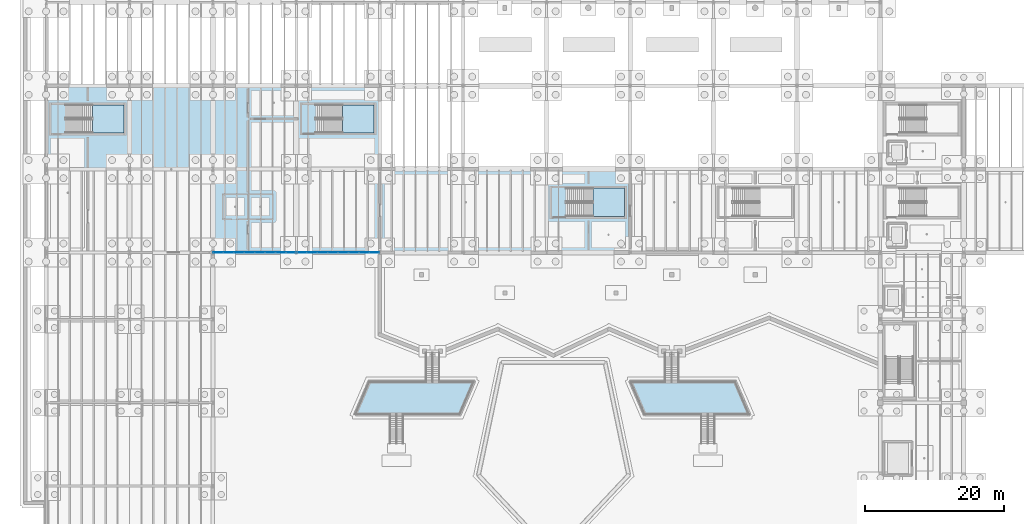
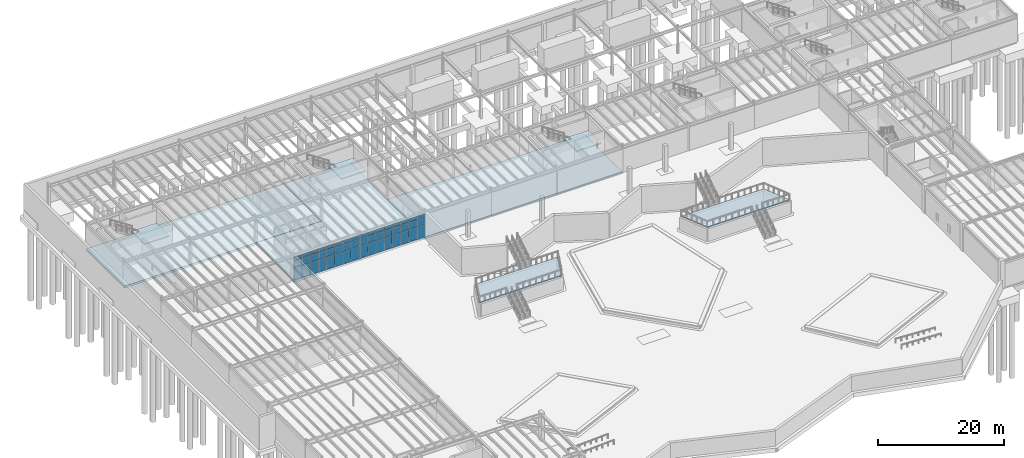
# One storey, part 29 of 67: 48 plates, 8 slabs, 7 elements without a shape of their own.
"""IFC4 building model written with IfcOpenShell, lengths in metres."""

import ifcopenshell
import ifcopenshell.guid

model = None  # the IFC model being written
_history = None  # IfcOwnerHistory: only IFC2X3 demands one
_inside = {}  # id of a spatial element -> (the spatial element, [elements in it])
_under = {}  # id of a project, library or spatial element -> (it, [spatial elements below it])
_declared = {}  # id of a project -> (the project, [libraries it declares])
_typed = {}  # id of a type object -> (the type object, [elements of that type])
_made_of = {}  # id of a material, layer set ... -> (it, [elements and type objects made of it])


def new_model(schema):
    """Start an empty IFC model of exactly this schema.

    Asked for "IFC4X3", IfcOpenShell would pick the latest addendum, in which some entities
    have other attributes; the version numbers below select the first issue.
    IFC2X3 requires an IfcOwnerHistory on every rooted entity: one is made here for all.
    """
    global model, _history
    if schema == "IFC4X3":
        model = ifcopenshell.file(schema_version=(4, 3, 0, 0))
    else:
        model = ifcopenshell.file(schema=schema)
    _inside.clear()
    _under.clear()
    _declared.clear()
    _typed.clear()
    _made_of.clear()
    _history = None
    if model.schema == "IFC2X3":
        org = make("IfcOrganization", Name="unknown")
        user = make(
            "IfcPersonAndOrganization",
            ThePerson=make("IfcPerson", FamilyName="unknown"),
            TheOrganization=org,
        )
        app = make(
            "IfcApplication",
            ApplicationDeveloper=org,
            Version="unknown",
            ApplicationFullName="unknown",
            ApplicationIdentifier="unknown",
        )
        _history = make(
            "IfcOwnerHistory",
            OwningUser=user,
            OwningApplication=app,
            ChangeAction="ADDED",
            CreationDate=0,
        )
    return model


def make(cls, **values):
    """One entity of the class cls with the attributes given. An attribute that is None is left unset."""
    return model.create_entity(
        cls, **{name: value for name, value in values.items() if value is not None}
    )


def rooted(cls, **values):
    """An entity with a GlobalId (a new one), such as an element, a storey or a relation."""
    return make(cls, GlobalId=ifcopenshell.guid.new(), OwnerHistory=_history, **values)


def si_unit(unit_type, name, prefix=None):
    """IfcSIUnit, for example si_unit("LENGTHUNIT", "METRE", prefix="MILLI")."""
    return make("IfcSIUnit", UnitType=unit_type, Prefix=prefix, Name=name)


def assignment(units):
    """IfcUnitAssignment: the units of a project."""
    return None if units is None else make("IfcUnitAssignment", Units=units)


def point(xyz):
    """IfcCartesianPoint."""
    return None if xyz is None else make("IfcCartesianPoint", Coordinates=xyz)


def direction(xyz):
    """IfcDirection."""
    return None if xyz is None else make("IfcDirection", DirectionRatios=xyz)


def frame(location, z_axis=None, x_axis=None):
    """IfcAxis2Placement3D, a coordinate frame: its origin and axes. An axis left out is left unset."""
    return make(
        "IfcAxis2Placement3D",
        Location=point(location),
        Axis=direction(z_axis),
        RefDirection=direction(x_axis),
    )


def frame_2d(location, x_axis=None):
    """IfcAxis2Placement2D, a coordinate frame in the plane: its origin and x axis."""
    return make(
        "IfcAxis2Placement2D", Location=point(location), RefDirection=direction(x_axis)
    )


def origin():
    """The frame at (0, 0, 0) with its axes left unset."""
    return frame((0.0, 0.0, 0.0))


def origin_2d():
    """The frame at (0, 0) in the plane with its x axis left unset."""
    return frame_2d((0.0, 0.0))


def place(relative_to, where):
    """IfcLocalPlacement: puts the frame where relative to a parent placement (None: the world)."""
    return make(
        "IfcLocalPlacement", PlacementRelTo=relative_to, RelativePlacement=where
    )


def context(
    kind, dimensions, precision=None, world=None, true_north=None, identifier=None
):
    """IfcGeometricRepresentationContext, for example the 3D "Model" context."""
    return make(
        "IfcGeometricRepresentationContext",
        ContextIdentifier=identifier,
        ContextType=kind,
        CoordinateSpaceDimension=dimensions,
        Precision=precision,
        WorldCoordinateSystem=world,
        TrueNorth=true_north,
    )


def subcontext(parent, identifier, kind, view, scale=None):
    """IfcGeometricRepresentationSubContext, for example "Body" below "Model"."""
    return make(
        "IfcGeometricRepresentationSubContext",
        ContextIdentifier=identifier,
        ContextType=kind,
        ParentContext=parent,
        TargetScale=scale,
        TargetView=view,
    )


def project(units=None, contexts=None):
    """IfcProject with its units and contexts."""
    return rooted(
        "IfcProject",
        Name="project",
        RepresentationContexts=contexts,
        UnitsInContext=assignment(units),
    )


def spatial(cls, under=None, at=None, **own):
    """A site, building, storey or space (cls), placed at a placement, below another one or the project."""
    s = rooted(cls, ObjectPlacement=at, **own)
    if under is not None:
        _under.setdefault(under.id(), (under, []))[1].append(s)
    return s


def polyline(points):
    """IfcPolyline through the points."""
    return make("IfcPolyline", Points=[point(p) for p in points])


def profile(cls, at=None, kind="AREA", **sizes):
    """A parametric profile (cls). Its sizes go by their IFC names, for example OverallWidth=200.0."""
    return make(cls, ProfileType=kind, Position=at, **sizes)


def rectangle(**sizes):
    """IfcRectangleProfileDef."""
    return profile("IfcRectangleProfileDef", **sizes)


def outline(outer, holes=None, kind="AREA"):
    """IfcArbitraryClosedProfileDef: a profile drawn as a closed curve; with holes, ...WithVoids."""
    if holes is None:
        return make("IfcArbitraryClosedProfileDef", ProfileType=kind, OuterCurve=outer)
    return make(
        "IfcArbitraryProfileDefWithVoids",
        ProfileType=kind,
        OuterCurve=outer,
        InnerCurves=holes,
    )


def extrude(swept, where, along, depth):
    """IfcExtrudedAreaSolid: the profile swept, set in the frame where, extruded along a direction by depth."""
    return make(
        "IfcExtrudedAreaSolid",
        SweptArea=swept,
        Position=where,
        ExtrudedDirection=direction(along),
        Depth=depth,
    )


def shape(context_of_items, identifier, shape_type, items):
    """IfcShapeRepresentation: the items that make up one representation, for example the "Body"."""
    return make(
        "IfcShapeRepresentation",
        ContextOfItems=context_of_items,
        RepresentationIdentifier=identifier,
        RepresentationType=shape_type,
        Items=items,
    )


def material(Name=None, Category=None):
    """IfcMaterial."""
    return make("IfcMaterial", Name=Name, Category=Category)


def layer(
    of_material, thickness, ventilated=None, Name=None, Category=None, Priority=None
):
    """IfcMaterialLayer: one layer of a wall or slab, of a material (None: an air gap)."""
    return make(
        "IfcMaterialLayer",
        Material=of_material,
        LayerThickness=thickness,
        IsVentilated=ventilated,
        Name=Name,
        Category=Category,
        Priority=Priority,
    )


def layer_set(layers, Name=None):
    """IfcMaterialLayerSet."""
    return make("IfcMaterialLayerSet", MaterialLayers=layers, LayerSetName=Name)


def made_of(thing, what):
    """Note that an element or type object is made of a material, layer set ...; save() writes the relation."""
    if what is not None:
        _made_of.setdefault(what.id(), (what, []))[1].append(thing)
    return thing


def type_object(cls, material=None, **own):
    """A type object (cls), such as IfcWallType, which elements share."""
    return made_of(rooted(cls, **own), material)


def element(
    cls,
    number,
    at=None,
    inside=None,
    cuts=None,
    type_object=None,
    material=None,
    context=None,
    identifier="Body",
    shape_type=None,
    held_by="IfcProductDefinitionShape",
    body=None,
    shapes=None,
    **own,
):
    """One element of the class cls, such as IfcWall. Its Tag is "e" and its number.

    at: its placement. inside: the storey or other place that contains it. cuts: it is an
    opening in that element (IfcRelVoidsElement). A single representation is given by context,
    identifier, shape_type and body (its items); several are given by shapes. held_by: the class
    of the entity that holds the representations. save() writes the other relations.
    """
    e = rooted(cls, Tag="e%d" % number, ObjectPlacement=at, **own)
    if body is not None:
        shapes = [shape(context, identifier, shape_type, body)]
    if shapes is not None:
        e.Representation = make(held_by, Representations=shapes)
    if inside is not None:
        _inside.setdefault(inside.id(), (inside, []))[1].append(e)
    if cuts is not None:
        rooted(
            "IfcRelVoidsElement", RelatingBuildingElement=cuts, RelatedOpeningElement=e
        )
    if type_object is not None:
        _typed.setdefault(type_object.id(), (type_object, []))[1].append(e)
    return made_of(e, material)


def aggregate(whole, parts):
    """IfcRelAggregates: a whole, such as a stair, and the parts it consists of."""
    return rooted("IfcRelAggregates", RelatingObject=whole, RelatedObjects=parts)


def save(model, path):
    """Write the relations noted so far, then the file.

    IfcRelAggregates (storeys below a building ...), IfcRelContainedInSpatialStructure (elements
    in a storey), IfcRelDefinesByType, IfcRelAssociatesMaterial and IfcRelDeclares: one each for
    every whole, place, type object, material and project.
    """
    for whole, parts in _under.values():
        aggregate(whole, parts)
    for where, things in _inside.values():
        rooted(
            "IfcRelContainedInSpatialStructure",
            RelatedElements=things,
            RelatingStructure=where,
        )
    for kind, things in _typed.values():
        rooted("IfcRelDefinesByType", RelatedObjects=things, RelatingType=kind)
    for what, things in _made_of.values():
        rooted("IfcRelAssociatesMaterial", RelatedObjects=things, RelatingMaterial=what)
    for by, libraries in _declared.values():
        rooted("IfcRelDeclares", RelatingContext=by, RelatedDefinitions=libraries)
    model.write(path)


model = new_model("IFC4")

# Units and contexts
model_context = context("Model", 3, precision=1e-05, world=origin(), true_north=direction((0.0, 1.0)))
body_context = subcontext(model_context, "Body", "Model", "MODEL_VIEW")
ifc_project = project(units=[si_unit("LENGTHUNIT", "METRE"), si_unit("AREAUNIT", "SQUARE_METRE"), si_unit("VOLUMEUNIT", "CUBIC_METRE"), si_unit("PLANEANGLEUNIT", "RADIAN"), si_unit("MASSUNIT", "GRAM", prefix="KILO")], contexts=[model_context])

# Site, building, storey
site_placement = place(None, origin())
site = spatial("IfcSite", under=ifc_project, at=site_placement, CompositionType="ELEMENT")
building_placement = place(site_placement, origin())
building = spatial("IfcBuilding", under=site, at=building_placement, Name="Zlatogorsky Bluff Art Gallery", CompositionType="ELEMENT")
storey_placement = place(building_placement, frame((0.0, 0.0, -5.39990234375)))
storey = spatial("IfcBuildingStorey", under=building, at=storey_placement, Name="B1", CompositionType="ELEMENT", Elevation=-5.39990234375)

# Stair, slab
ifc_material_1 = material(Name="Concrete C30/37", Category="concrete")
stair_type_1 = type_object("IfcStairType", Name="Protected Dogleg Stair ST-T3A", PredefinedType="HALF_TURN_STAIR", material=ifc_material_1)
stair_1_placement = place(storey_placement, origin())
stair_1 = element("IfcStair", 1, at=stair_1_placement, inside=storey, type_object=stair_type_1, Name="West Sunken Education Court Monumental Amphitheatre Stair", PredefinedType="HALF_TURN_STAIR")
ifc_layer_1 = layer(ifc_material_1, 0.2099609375)
ifc_layer_set_1 = layer_set([ifc_layer_1], Name="Exterior Terrace Stair Landing 210mm")
slab_type_1 = type_object("IfcSlabType", Name="Exterior Terrace Stair Landing 210mm", PredefinedType="LANDING", material=ifc_layer_set_1)
slab_1_placement = place(storey_placement, frame((0.0, 0.0, 2.489990234375)))
slab_1 = element("IfcSlab", 2, at=slab_1_placement, type_object=slab_type_1, Name="West Sunken Education Court Monumental Amphitheatre Stair intermediate bluff terrace landing", PredefinedType="LANDING", context=body_context, shape_type="SweptSolid", body=[
    extrude(outline(polyline([(44.5, 60.75), (59.5, 60.75), (61.5, 65.39990234375), (46.5, 65.39990234375), (44.5, 60.75)])), origin(), (0.0, 0.0, 1.0), 0.2099609375),
])
aggregate(stair_1, [slab_1])

stair_2_placement = place(storey_placement, origin())
stair_2 = element("IfcStair", 3, at=stair_2_placement, inside=storey, type_object=stair_type_1, Name="East Sunken Sculpture Court Monumental Amphitheatre Stair", PredefinedType="HALF_TURN_STAIR")
slab_2_placement = place(storey_placement, frame((0.0, 0.0, 2.489990234375)))
slab_2 = element("IfcSlab", 4, at=slab_2_placement, type_object=slab_type_1, Name="East Sunken Sculpture Court Monumental Amphitheatre Stair intermediate bluff terrace landing", PredefinedType="LANDING", context=body_context, shape_type="SweptSolid", body=[
    extrude(outline(polyline([(86.10009765625, 60.75), (101.10009765625, 60.75), (99.10009765625, 65.39990234375), (84.10009765625, 65.39990234375), (86.10009765625, 60.75)])), origin(), (0.0, 0.0, 1.0), 0.2099609375),
])
aggregate(stair_2, [slab_2])

# Curtain wall, plates
ifc_material_2 = material(Name="Anodised Bronze Aluminium and Low-Iron Triple Glazing", Category="aluminium")
ifc_layer_2 = layer(ifc_material_2, 0.179931640625)
ifc_layer_set_2 = layer_set([ifc_layer_2], Name="Curtain Wall CW-01")
curtain_wall_type_1 = type_object("IfcCurtainWallType", Name="Curtain Wall CW-01", PredefinedType="USERDEFINED", material=ifc_layer_set_2)
curtain_wall_1_placement = place(storey_placement, origin())
curtain_wall_1 = element("IfcCurtainWall", 5, at=curtain_wall_1_placement, inside=storey, type_object=curtain_wall_type_1, Name="Unitised curtain wall CW-01 B1 S 2.8", ObjectType="CURTAIN WALL", PredefinedType="USERDEFINED")
ifc_material_3 = material(Name="Low-Iron Laminated Triple Glazing", Category="glass")
ifc_layer_3 = layer(ifc_material_3, 0.035888671875)
ifc_layer_set_3 = layer_set([ifc_layer_3], Name="Glazed Curtain Panel CWP-01")
plate_type = type_object("IfcPlateType", Name="Glazed Curtain Panel CWP-01", PredefinedType="CURTAIN_PANEL", material=ifc_layer_set_3)
plate_1_placement = place(storey_placement, frame((24.766357421875, 84.0, 0.06494140625), z_axis=(0.0, 0.0, 1.0), x_axis=(1.0, 0.0, 0.0)))
plate_1 = element("IfcPlate", 6, at=plate_1_placement, type_object=plate_type, Name="CW-01 panel 1.1", PredefinedType="CURTAIN_PANEL", context=body_context, shape_type="SweptSolid", body=[
    extrude(rectangle(XDim=1.402587890625, YDim=0.035888671875, at=origin_2d()), origin(), (0.0, 0.0, 1.0), 2.3525390625),
])
plate_2_placement = place(storey_placement, frame((24.766357421875, 84.0, 2.482421875), z_axis=(0.0, 0.0, 1.0), x_axis=(1.0, 0.0, 0.0)))
plate_2 = element("IfcPlate", 7, at=plate_2_placement, type_object=plate_type, Name="CW-01 panel 1.2", PredefinedType="CURTAIN_PANEL", context=body_context, shape_type="SweptSolid", body=[
    extrude(rectangle(XDim=1.402587890625, YDim=0.035888671875, at=origin_2d()), origin(), (0.0, 0.0, 1.0), 1.3349609375),
])
plate_3_placement = place(storey_placement, frame((24.766357421875, 84.0, 3.88232421875), z_axis=(0.0, 0.0, 1.0), x_axis=(1.0, 0.0, 0.0)))
plate_3 = element("IfcPlate", 8, at=plate_3_placement, type_object=plate_type, Name="CW-01 panel 1.3", PredefinedType="CURTAIN_PANEL", context=body_context, shape_type="SweptSolid", body=[
    extrude(rectangle(XDim=1.402587890625, YDim=0.035888671875, at=origin_2d()), origin(), (0.0, 0.0, 1.0), 0.592529296875),
])
plate_4_placement = place(storey_placement, frame((26.25, 84.0, 0.06494140625), z_axis=(0.0, 0.0, 1.0), x_axis=(1.0, 0.0, 0.0)))
plate_4 = element("IfcPlate", 9, at=plate_4_placement, type_object=plate_type, Name="CW-01 panel 2.1", PredefinedType="CURTAIN_PANEL", context=body_context, shape_type="SweptSolid", body=[
    extrude(rectangle(XDim=1.43505859375, YDim=0.035888671875, at=origin_2d()), origin(), (0.0, 0.0, 1.0), 2.3525390625),
])
plate_5_placement = place(storey_placement, frame((26.25, 84.0, 2.482421875), z_axis=(0.0, 0.0, 1.0), x_axis=(1.0, 0.0, 0.0)))
plate_5 = element("IfcPlate", 10, at=plate_5_placement, type_object=plate_type, Name="CW-01 panel 2.2", PredefinedType="CURTAIN_PANEL", context=body_context, shape_type="SweptSolid", body=[
    extrude(rectangle(XDim=1.43505859375, YDim=0.035888671875, at=origin_2d()), origin(), (0.0, 0.0, 1.0), 1.3349609375),
])
plate_6_placement = place(storey_placement, frame((26.25, 84.0, 3.88232421875), z_axis=(0.0, 0.0, 1.0), x_axis=(1.0, 0.0, 0.0)))
plate_6 = element("IfcPlate", 11, at=plate_6_placement, type_object=plate_type, Name="CW-01 panel 2.3", PredefinedType="CURTAIN_PANEL", context=body_context, shape_type="SweptSolid", body=[
    extrude(rectangle(XDim=1.43505859375, YDim=0.035888671875, at=origin_2d()), origin(), (0.0, 0.0, 1.0), 0.592529296875),
])
plate_7_placement = place(storey_placement, frame((27.75, 84.0, 0.06494140625), z_axis=(0.0, 0.0, 1.0), x_axis=(1.0, 0.0, 0.0)))
plate_7 = element("IfcPlate", 12, at=plate_7_placement, type_object=plate_type, Name="CW-01 panel 3.1", PredefinedType="CURTAIN_PANEL", context=body_context, shape_type="SweptSolid", body=[
    extrude(rectangle(XDim=1.43505859375, YDim=0.035888671875, at=origin_2d()), origin(), (0.0, 0.0, 1.0), 2.3525390625),
])
plate_8_placement = place(storey_placement, frame((27.75, 84.0, 2.482421875), z_axis=(0.0, 0.0, 1.0), x_axis=(1.0, 0.0, 0.0)))
plate_8 = element("IfcPlate", 13, at=plate_8_placement, type_object=plate_type, Name="CW-01 panel 3.2", PredefinedType="CURTAIN_PANEL", context=body_context, shape_type="SweptSolid", body=[
    extrude(rectangle(XDim=1.43505859375, YDim=0.035888671875, at=origin_2d()), origin(), (0.0, 0.0, 1.0), 1.3349609375),
])
plate_9_placement = place(storey_placement, frame((27.75, 84.0, 3.88232421875), z_axis=(0.0, 0.0, 1.0), x_axis=(1.0, 0.0, 0.0)))
plate_9 = element("IfcPlate", 14, at=plate_9_placement, type_object=plate_type, Name="CW-01 panel 3.3", PredefinedType="CURTAIN_PANEL", context=body_context, shape_type="SweptSolid", body=[
    extrude(rectangle(XDim=1.43505859375, YDim=0.035888671875, at=origin_2d()), origin(), (0.0, 0.0, 1.0), 0.592529296875),
])
plate_10_placement = place(storey_placement, frame((29.25, 84.0, 0.06494140625), z_axis=(0.0, 0.0, 1.0), x_axis=(1.0, 0.0, 0.0)))
plate_10 = element("IfcPlate", 15, at=plate_10_placement, type_object=plate_type, Name="CW-01 panel 4.1", PredefinedType="CURTAIN_PANEL", context=body_context, shape_type="SweptSolid", body=[
    extrude(rectangle(XDim=1.43505859375, YDim=0.035888671875, at=origin_2d()), origin(), (0.0, 0.0, 1.0), 2.3525390625),
])
plate_11_placement = place(storey_placement, frame((29.25, 84.0, 2.482421875), z_axis=(0.0, 0.0, 1.0), x_axis=(1.0, 0.0, 0.0)))
plate_11 = element("IfcPlate", 16, at=plate_11_placement, type_object=plate_type, Name="CW-01 panel 4.2", PredefinedType="CURTAIN_PANEL", context=body_context, shape_type="SweptSolid", body=[
    extrude(rectangle(XDim=1.43505859375, YDim=0.035888671875, at=origin_2d()), origin(), (0.0, 0.0, 1.0), 1.3349609375),
])
plate_12_placement = place(storey_placement, frame((29.25, 84.0, 3.88232421875), z_axis=(0.0, 0.0, 1.0), x_axis=(1.0, 0.0, 0.0)))
plate_12 = element("IfcPlate", 17, at=plate_12_placement, type_object=plate_type, Name="CW-01 panel 4.3", PredefinedType="CURTAIN_PANEL", context=body_context, shape_type="SweptSolid", body=[
    extrude(rectangle(XDim=1.43505859375, YDim=0.035888671875, at=origin_2d()), origin(), (0.0, 0.0, 1.0), 0.592529296875),
])
plate_13_placement = place(storey_placement, frame((30.75, 84.0, 0.06494140625), z_axis=(0.0, 0.0, 1.0), x_axis=(1.0, 0.0, 0.0)))
plate_13 = element("IfcPlate", 18, at=plate_13_placement, type_object=plate_type, Name="CW-01 panel 5.1", PredefinedType="CURTAIN_PANEL", context=body_context, shape_type="SweptSolid", body=[
    extrude(rectangle(XDim=1.43505859375, YDim=0.035888671875, at=origin_2d()), origin(), (0.0, 0.0, 1.0), 2.3525390625),
])
plate_14_placement = place(storey_placement, frame((30.75, 84.0, 2.482421875), z_axis=(0.0, 0.0, 1.0), x_axis=(1.0, 0.0, 0.0)))
plate_14 = element("IfcPlate", 19, at=plate_14_placement, type_object=plate_type, Name="CW-01 panel 5.2", PredefinedType="CURTAIN_PANEL", context=body_context, shape_type="SweptSolid", body=[
    extrude(rectangle(XDim=1.43505859375, YDim=0.035888671875, at=origin_2d()), origin(), (0.0, 0.0, 1.0), 1.3349609375),
])
plate_15_placement = place(storey_placement, frame((30.75, 84.0, 3.88232421875), z_axis=(0.0, 0.0, 1.0), x_axis=(1.0, 0.0, 0.0)))
plate_15 = element("IfcPlate", 20, at=plate_15_placement, type_object=plate_type, Name="CW-01 panel 5.3", PredefinedType="CURTAIN_PANEL", context=body_context, shape_type="SweptSolid", body=[
    extrude(rectangle(XDim=1.43505859375, YDim=0.035888671875, at=origin_2d()), origin(), (0.0, 0.0, 1.0), 0.592529296875),
])
plate_16_placement = place(storey_placement, frame((32.25, 84.0, 0.06494140625), z_axis=(0.0, 0.0, 1.0), x_axis=(1.0, 0.0, 0.0)))
plate_16 = element("IfcPlate", 21, at=plate_16_placement, type_object=plate_type, Name="CW-01 panel 6.1", PredefinedType="CURTAIN_PANEL", context=body_context, shape_type="SweptSolid", body=[
    extrude(rectangle(XDim=1.43505859375, YDim=0.035888671875, at=origin_2d()), origin(), (0.0, 0.0, 1.0), 2.3525390625),
])
plate_17_placement = place(storey_placement, frame((32.25, 84.0, 2.482421875), z_axis=(0.0, 0.0, 1.0), x_axis=(1.0, 0.0, 0.0)))
plate_17 = element("IfcPlate", 22, at=plate_17_placement, type_object=plate_type, Name="CW-01 panel 6.2", PredefinedType="CURTAIN_PANEL", context=body_context, shape_type="SweptSolid", body=[
    extrude(rectangle(XDim=1.43505859375, YDim=0.035888671875, at=origin_2d()), origin(), (0.0, 0.0, 1.0), 1.3349609375),
])
plate_18_placement = place(storey_placement, frame((32.25, 84.0, 3.88232421875), z_axis=(0.0, 0.0, 1.0), x_axis=(1.0, 0.0, 0.0)))
plate_18 = element("IfcPlate", 23, at=plate_18_placement, type_object=plate_type, Name="CW-01 panel 6.3", PredefinedType="CURTAIN_PANEL", context=body_context, shape_type="SweptSolid", body=[
    extrude(rectangle(XDim=1.43505859375, YDim=0.035888671875, at=origin_2d()), origin(), (0.0, 0.0, 1.0), 0.592529296875),
])
plate_19_placement = place(storey_placement, frame((33.75, 84.0, 0.06494140625), z_axis=(0.0, 0.0, 1.0), x_axis=(1.0, 0.0, 0.0)))
plate_19 = element("IfcPlate", 24, at=plate_19_placement, type_object=plate_type, Name="CW-01 panel 7.1", PredefinedType="CURTAIN_PANEL", context=body_context, shape_type="SweptSolid", body=[
    extrude(rectangle(XDim=1.43505859375, YDim=0.035888671875, at=origin_2d()), origin(), (0.0, 0.0, 1.0), 2.3525390625),
])
plate_20_placement = place(storey_placement, frame((33.75, 84.0, 2.482421875), z_axis=(0.0, 0.0, 1.0), x_axis=(1.0, 0.0, 0.0)))
plate_20 = element("IfcPlate", 25, at=plate_20_placement, type_object=plate_type, Name="CW-01 panel 7.2", PredefinedType="CURTAIN_PANEL", context=body_context, shape_type="SweptSolid", body=[
    extrude(rectangle(XDim=1.43505859375, YDim=0.035888671875, at=origin_2d()), origin(), (0.0, 0.0, 1.0), 1.3349609375),
])
plate_21_placement = place(storey_placement, frame((33.75, 84.0, 3.88232421875), z_axis=(0.0, 0.0, 1.0), x_axis=(1.0, 0.0, 0.0)))
plate_21 = element("IfcPlate", 26, at=plate_21_placement, type_object=plate_type, Name="CW-01 panel 7.3", PredefinedType="CURTAIN_PANEL", context=body_context, shape_type="SweptSolid", body=[
    extrude(rectangle(XDim=1.43505859375, YDim=0.035888671875, at=origin_2d()), origin(), (0.0, 0.0, 1.0), 0.592529296875),
])
plate_22_placement = place(storey_placement, frame((35.233642578125, 84.0, 0.06494140625), z_axis=(0.0, 0.0, 1.0), x_axis=(1.0, 0.0, 0.0)))
plate_22 = element("IfcPlate", 27, at=plate_22_placement, type_object=plate_type, Name="CW-01 panel 8.1", PredefinedType="CURTAIN_PANEL", context=body_context, shape_type="SweptSolid", body=[
    extrude(rectangle(XDim=1.402587890625, YDim=0.035888671875, at=origin_2d()), origin(), (0.0, 0.0, 1.0), 2.3525390625),
])
plate_23_placement = place(storey_placement, frame((35.233642578125, 84.0, 2.482421875), z_axis=(0.0, 0.0, 1.0), x_axis=(1.0, 0.0, 0.0)))
plate_23 = element("IfcPlate", 28, at=plate_23_placement, type_object=plate_type, Name="CW-01 panel 8.2", PredefinedType="CURTAIN_PANEL", context=body_context, shape_type="SweptSolid", body=[
    extrude(rectangle(XDim=1.402587890625, YDim=0.035888671875, at=origin_2d()), origin(), (0.0, 0.0, 1.0), 1.3349609375),
])
plate_24_placement = place(storey_placement, frame((35.233642578125, 84.0, 3.88232421875), z_axis=(0.0, 0.0, 1.0), x_axis=(1.0, 0.0, 0.0)))
plate_24 = element("IfcPlate", 29, at=plate_24_placement, type_object=plate_type, Name="CW-01 panel 8.3", PredefinedType="CURTAIN_PANEL", context=body_context, shape_type="SweptSolid", body=[
    extrude(rectangle(XDim=1.402587890625, YDim=0.035888671875, at=origin_2d()), origin(), (0.0, 0.0, 1.0), 0.592529296875),
])
aggregate(curtain_wall_1, [plate_1, plate_2, plate_3, plate_4, plate_5, plate_6, plate_7, plate_8, plate_9, plate_10, plate_11, plate_12, plate_13, plate_14, plate_15, plate_16, plate_17, plate_18, plate_19, plate_20, plate_21, plate_22, plate_23, plate_24])

ifc_layer_4 = layer(ifc_material_2, 0.199951171875)
ifc_layer_set_4 = layer_set([ifc_layer_4], Name="Curtain Wall CW-02")
curtain_wall_type_2 = type_object("IfcCurtainWallType", Name="Curtain Wall CW-02", PredefinedType="USERDEFINED", material=ifc_layer_set_4)
curtain_wall_2_placement = place(storey_placement, origin())
curtain_wall_2 = element("IfcCurtainWall", 30, at=curtain_wall_2_placement, inside=storey, type_object=curtain_wall_type_2, Name="Unitised curtain wall CW-02 B1 S 3.8", ObjectType="CURTAIN WALL", PredefinedType="USERDEFINED")
plate_25_placement = place(storey_placement, frame((36.766357421875, 84.0, 0.06494140625), z_axis=(0.0, 0.0, 1.0), x_axis=(1.0, 0.0, 0.0)))
plate_25 = element("IfcPlate", 31, at=plate_25_placement, type_object=plate_type, Name="CW-02 panel 1.1", PredefinedType="CURTAIN_PANEL", context=body_context, shape_type="SweptSolid", body=[
    extrude(rectangle(XDim=1.402587890625, YDim=0.035888671875, at=origin_2d()), origin(), (0.0, 0.0, 1.0), 2.3525390625),
])
plate_26_placement = place(storey_placement, frame((36.766357421875, 84.0, 2.482421875), z_axis=(0.0, 0.0, 1.0), x_axis=(1.0, 0.0, 0.0)))
plate_26 = element("IfcPlate", 32, at=plate_26_placement, type_object=plate_type, Name="CW-02 panel 1.2", PredefinedType="CURTAIN_PANEL", context=body_context, shape_type="SweptSolid", body=[
    extrude(rectangle(XDim=1.402587890625, YDim=0.035888671875, at=origin_2d()), origin(), (0.0, 0.0, 1.0), 1.3349609375),
])
plate_27_placement = place(storey_placement, frame((36.766357421875, 84.0, 3.88232421875), z_axis=(0.0, 0.0, 1.0), x_axis=(1.0, 0.0, 0.0)))
plate_27 = element("IfcPlate", 33, at=plate_27_placement, type_object=plate_type, Name="CW-02 panel 1.3", PredefinedType="CURTAIN_PANEL", context=body_context, shape_type="SweptSolid", body=[
    extrude(rectangle(XDim=1.402587890625, YDim=0.035888671875, at=origin_2d()), origin(), (0.0, 0.0, 1.0), 0.592529296875),
])
plate_28_placement = place(storey_placement, frame((38.25, 84.0, 0.06494140625), z_axis=(0.0, 0.0, 1.0), x_axis=(1.0, 0.0, 0.0)))
plate_28 = element("IfcPlate", 34, at=plate_28_placement, type_object=plate_type, Name="CW-02 panel 2.1", PredefinedType="CURTAIN_PANEL", context=body_context, shape_type="SweptSolid", body=[
    extrude(rectangle(XDim=1.43505859375, YDim=0.035888671875, at=origin_2d()), origin(), (0.0, 0.0, 1.0), 2.3525390625),
])
plate_29_placement = place(storey_placement, frame((38.25, 84.0, 2.482421875), z_axis=(0.0, 0.0, 1.0), x_axis=(1.0, 0.0, 0.0)))
plate_29 = element("IfcPlate", 35, at=plate_29_placement, type_object=plate_type, Name="CW-02 panel 2.2", PredefinedType="CURTAIN_PANEL", context=body_context, shape_type="SweptSolid", body=[
    extrude(rectangle(XDim=1.43505859375, YDim=0.035888671875, at=origin_2d()), origin(), (0.0, 0.0, 1.0), 1.3349609375),
])
plate_30_placement = place(storey_placement, frame((38.25, 84.0, 3.88232421875), z_axis=(0.0, 0.0, 1.0), x_axis=(1.0, 0.0, 0.0)))
plate_30 = element("IfcPlate", 36, at=plate_30_placement, type_object=plate_type, Name="CW-02 panel 2.3", PredefinedType="CURTAIN_PANEL", context=body_context, shape_type="SweptSolid", body=[
    extrude(rectangle(XDim=1.43505859375, YDim=0.035888671875, at=origin_2d()), origin(), (0.0, 0.0, 1.0), 0.592529296875),
])
plate_31_placement = place(storey_placement, frame((39.75, 84.0, 0.06494140625), z_axis=(0.0, 0.0, 1.0), x_axis=(1.0, 0.0, 0.0)))
plate_31 = element("IfcPlate", 37, at=plate_31_placement, type_object=plate_type, Name="CW-02 panel 3.1", PredefinedType="CURTAIN_PANEL", context=body_context, shape_type="SweptSolid", body=[
    extrude(rectangle(XDim=1.43505859375, YDim=0.035888671875, at=origin_2d()), origin(), (0.0, 0.0, 1.0), 2.3525390625),
])
plate_32_placement = place(storey_placement, frame((39.75, 84.0, 2.482421875), z_axis=(0.0, 0.0, 1.0), x_axis=(1.0, 0.0, 0.0)))
plate_32 = element("IfcPlate", 38, at=plate_32_placement, type_object=plate_type, Name="CW-02 panel 3.2", PredefinedType="CURTAIN_PANEL", context=body_context, shape_type="SweptSolid", body=[
    extrude(rectangle(XDim=1.43505859375, YDim=0.035888671875, at=origin_2d()), origin(), (0.0, 0.0, 1.0), 1.3349609375),
])
plate_33_placement = place(storey_placement, frame((39.75, 84.0, 3.88232421875), z_axis=(0.0, 0.0, 1.0), x_axis=(1.0, 0.0, 0.0)))
plate_33 = element("IfcPlate", 39, at=plate_33_placement, type_object=plate_type, Name="CW-02 panel 3.3", PredefinedType="CURTAIN_PANEL", context=body_context, shape_type="SweptSolid", body=[
    extrude(rectangle(XDim=1.43505859375, YDim=0.035888671875, at=origin_2d()), origin(), (0.0, 0.0, 1.0), 0.592529296875),
])
plate_34_placement = place(storey_placement, frame((41.25, 84.0, 0.06494140625), z_axis=(0.0, 0.0, 1.0), x_axis=(1.0, 0.0, 0.0)))
plate_34 = element("IfcPlate", 40, at=plate_34_placement, type_object=plate_type, Name="CW-02 panel 4.1", PredefinedType="CURTAIN_PANEL", context=body_context, shape_type="SweptSolid", body=[
    extrude(rectangle(XDim=1.43505859375, YDim=0.035888671875, at=origin_2d()), origin(), (0.0, 0.0, 1.0), 2.3525390625),
])
plate_35_placement = place(storey_placement, frame((41.25, 84.0, 2.482421875), z_axis=(0.0, 0.0, 1.0), x_axis=(1.0, 0.0, 0.0)))
plate_35 = element("IfcPlate", 41, at=plate_35_placement, type_object=plate_type, Name="CW-02 panel 4.2", PredefinedType="CURTAIN_PANEL", context=body_context, shape_type="SweptSolid", body=[
    extrude(rectangle(XDim=1.43505859375, YDim=0.035888671875, at=origin_2d()), origin(), (0.0, 0.0, 1.0), 1.3349609375),
])
plate_36_placement = place(storey_placement, frame((41.25, 84.0, 3.88232421875), z_axis=(0.0, 0.0, 1.0), x_axis=(1.0, 0.0, 0.0)))
plate_36 = element("IfcPlate", 42, at=plate_36_placement, type_object=plate_type, Name="CW-02 panel 4.3", PredefinedType="CURTAIN_PANEL", context=body_context, shape_type="SweptSolid", body=[
    extrude(rectangle(XDim=1.43505859375, YDim=0.035888671875, at=origin_2d()), origin(), (0.0, 0.0, 1.0), 0.592529296875),
])
plate_37_placement = place(storey_placement, frame((42.75, 84.0, 0.06494140625), z_axis=(0.0, 0.0, 1.0), x_axis=(1.0, 0.0, 0.0)))
plate_37 = element("IfcPlate", 43, at=plate_37_placement, type_object=plate_type, Name="CW-02 panel 5.1", PredefinedType="CURTAIN_PANEL", context=body_context, shape_type="SweptSolid", body=[
    extrude(rectangle(XDim=1.43505859375, YDim=0.035888671875, at=origin_2d()), origin(), (0.0, 0.0, 1.0), 2.3525390625),
])
plate_38_placement = place(storey_placement, frame((42.75, 84.0, 2.482421875), z_axis=(0.0, 0.0, 1.0), x_axis=(1.0, 0.0, 0.0)))
plate_38 = element("IfcPlate", 44, at=plate_38_placement, type_object=plate_type, Name="CW-02 panel 5.2", PredefinedType="CURTAIN_PANEL", context=body_context, shape_type="SweptSolid", body=[
    extrude(rectangle(XDim=1.43505859375, YDim=0.035888671875, at=origin_2d()), origin(), (0.0, 0.0, 1.0), 1.3349609375),
])
plate_39_placement = place(storey_placement, frame((42.75, 84.0, 3.88232421875), z_axis=(0.0, 0.0, 1.0), x_axis=(1.0, 0.0, 0.0)))
plate_39 = element("IfcPlate", 45, at=plate_39_placement, type_object=plate_type, Name="CW-02 panel 5.3", PredefinedType="CURTAIN_PANEL", context=body_context, shape_type="SweptSolid", body=[
    extrude(rectangle(XDim=1.43505859375, YDim=0.035888671875, at=origin_2d()), origin(), (0.0, 0.0, 1.0), 0.592529296875),
])
plate_40_placement = place(storey_placement, frame((44.25, 84.0, 0.06494140625), z_axis=(0.0, 0.0, 1.0), x_axis=(1.0, 0.0, 0.0)))
plate_40 = element("IfcPlate", 46, at=plate_40_placement, type_object=plate_type, Name="CW-02 panel 6.1", PredefinedType="CURTAIN_PANEL", context=body_context, shape_type="SweptSolid", body=[
    extrude(rectangle(XDim=1.43505859375, YDim=0.035888671875, at=origin_2d()), origin(), (0.0, 0.0, 1.0), 2.3525390625),
])
plate_41_placement = place(storey_placement, frame((44.25, 84.0, 2.482421875), z_axis=(0.0, 0.0, 1.0), x_axis=(1.0, 0.0, 0.0)))
plate_41 = element("IfcPlate", 47, at=plate_41_placement, type_object=plate_type, Name="CW-02 panel 6.2", PredefinedType="CURTAIN_PANEL", context=body_context, shape_type="SweptSolid", body=[
    extrude(rectangle(XDim=1.43505859375, YDim=0.035888671875, at=origin_2d()), origin(), (0.0, 0.0, 1.0), 1.3349609375),
])
plate_42_placement = place(storey_placement, frame((44.25, 84.0, 3.88232421875), z_axis=(0.0, 0.0, 1.0), x_axis=(1.0, 0.0, 0.0)))
plate_42 = element("IfcPlate", 48, at=plate_42_placement, type_object=plate_type, Name="CW-02 panel 6.3", PredefinedType="CURTAIN_PANEL", context=body_context, shape_type="SweptSolid", body=[
    extrude(rectangle(XDim=1.43505859375, YDim=0.035888671875, at=origin_2d()), origin(), (0.0, 0.0, 1.0), 0.592529296875),
])
plate_43_placement = place(storey_placement, frame((45.75, 84.0, 0.06494140625), z_axis=(0.0, 0.0, 1.0), x_axis=(1.0, 0.0, 0.0)))
plate_43 = element("IfcPlate", 49, at=plate_43_placement, type_object=plate_type, Name="CW-02 panel 7.1", PredefinedType="CURTAIN_PANEL", context=body_context, shape_type="SweptSolid", body=[
    extrude(rectangle(XDim=1.43505859375, YDim=0.035888671875, at=origin_2d()), origin(), (0.0, 0.0, 1.0), 2.3525390625),
])
plate_44_placement = place(storey_placement, frame((45.75, 84.0, 2.482421875), z_axis=(0.0, 0.0, 1.0), x_axis=(1.0, 0.0, 0.0)))
plate_44 = element("IfcPlate", 50, at=plate_44_placement, type_object=plate_type, Name="CW-02 panel 7.2", PredefinedType="CURTAIN_PANEL", context=body_context, shape_type="SweptSolid", body=[
    extrude(rectangle(XDim=1.43505859375, YDim=0.035888671875, at=origin_2d()), origin(), (0.0, 0.0, 1.0), 1.3349609375),
])
plate_45_placement = place(storey_placement, frame((45.75, 84.0, 3.88232421875), z_axis=(0.0, 0.0, 1.0), x_axis=(1.0, 0.0, 0.0)))
plate_45 = element("IfcPlate", 51, at=plate_45_placement, type_object=plate_type, Name="CW-02 panel 7.3", PredefinedType="CURTAIN_PANEL", context=body_context, shape_type="SweptSolid", body=[
    extrude(rectangle(XDim=1.43505859375, YDim=0.035888671875, at=origin_2d()), origin(), (0.0, 0.0, 1.0), 0.592529296875),
])
plate_46_placement = place(storey_placement, frame((47.233642578125, 84.0, 0.06494140625), z_axis=(0.0, 0.0, 1.0), x_axis=(1.0, 0.0, 0.0)))
plate_46 = element("IfcPlate", 52, at=plate_46_placement, type_object=plate_type, Name="CW-02 panel 8.1", PredefinedType="CURTAIN_PANEL", context=body_context, shape_type="SweptSolid", body=[
    extrude(rectangle(XDim=1.402587890625, YDim=0.035888671875, at=origin_2d()), origin(), (0.0, 0.0, 1.0), 2.3525390625),
])
plate_47_placement = place(storey_placement, frame((47.233642578125, 84.0, 2.482421875), z_axis=(0.0, 0.0, 1.0), x_axis=(1.0, 0.0, 0.0)))
plate_47 = element("IfcPlate", 53, at=plate_47_placement, type_object=plate_type, Name="CW-02 panel 8.2", PredefinedType="CURTAIN_PANEL", context=body_context, shape_type="SweptSolid", body=[
    extrude(rectangle(XDim=1.402587890625, YDim=0.035888671875, at=origin_2d()), origin(), (0.0, 0.0, 1.0), 1.3349609375),
])
plate_48_placement = place(storey_placement, frame((47.233642578125, 84.0, 3.88232421875), z_axis=(0.0, 0.0, 1.0), x_axis=(1.0, 0.0, 0.0)))
plate_48 = element("IfcPlate", 54, at=plate_48_placement, type_object=plate_type, Name="CW-02 panel 8.3", PredefinedType="CURTAIN_PANEL", context=body_context, shape_type="SweptSolid", body=[
    extrude(rectangle(XDim=1.402587890625, YDim=0.035888671875, at=origin_2d()), origin(), (0.0, 0.0, 1.0), 0.592529296875),
])
aggregate(curtain_wall_2, [plate_25, plate_26, plate_27, plate_28, plate_29, plate_30, plate_31, plate_32, plate_33, plate_34, plate_35, plate_36, plate_37, plate_38, plate_39, plate_40, plate_41, plate_42, plate_43, plate_44, plate_45, plate_46, plate_47, plate_48])

# Slabs
ifc_material_4 = material(Name="Concrete C35/45", Category="concrete")
ifc_layer_5 = layer(ifc_material_4, 0.39990234375)
ifc_layer_set_5 = layer_set([ifc_layer_5], Name="Slab SL-B1 400mm")
slab_type_2 = type_object("IfcSlabType", Name="Slab SL-B1 400mm", PredefinedType="BASESLAB", material=ifc_layer_set_5)
slab_3_placement = place(storey_placement, frame((0.0, 0.0, -0.400146484375)))
element("IfcSlab", 55, at=slab_3_placement, inside=storey, type_object=slab_type_2, Name="B1 structural floor slab panel 04", PredefinedType="BASESLAB", context=body_context, shape_type="SweptSolid", body=[
    extrude(outline(polyline([(0.0, 96.0), (0.0, 108.0), (12.0, 108.0), (24.0, 108.0), (36.0, 108.0), (36.0, 96.0), (24.0, 96.0), (12.0, 96.0), (0.0, 96.0)])), origin(), (0.0, 0.0, 1.0), 0.400146484375),
])
slab_4_placement = place(storey_placement, frame((0.0, 0.0, -0.400146484375)))
element("IfcSlab", 56, at=slab_4_placement, inside=storey, type_object=slab_type_2, Name="B1 structural floor slab panel 09", PredefinedType="BASESLAB", context=body_context, shape_type="SweptSolid", body=[
    extrude(outline(polyline([(24.0, 84.0), (24.0, 96.0), (36.0, 96.0), (36.0, 108.0), (48.0, 108.0), (48.0, 96.0), (48.0, 84.0), (36.0, 84.0), (24.0, 84.0)])), origin(), (0.0, 0.0, 1.0), 0.400146484375),
])
slab_5_placement = place(storey_placement, frame((0.0, 0.0, -0.400146484375)))
element("IfcSlab", 57, at=slab_5_placement, inside=storey, type_object=slab_type_2, Name="B1 structural floor slab panel 10", PredefinedType="BASESLAB", context=body_context, shape_type="SweptSolid", body=[
    extrude(outline(polyline([(48.0, 84.0), (48.0, 96.0), (60.0, 96.0), (72.0, 96.0), (84.0, 96.0), (84.0, 84.0), (72.0, 84.0), (60.0, 84.0), (48.0, 84.0)])), origin(), (0.0, 0.0, 1.0), 0.400146484375),
])

# Stair, slab
stair_type_2 = type_object("IfcStairType", Name="Protected Dogleg Stair ST-T3", PredefinedType="HALF_TURN_STAIR", material=ifc_material_1)
stair_3_placement = place(storey_placement, origin())
stair_3 = element("IfcStair", 58, at=stair_3_placement, inside=storey, type_object=stair_type_2, Name="B1 Protected Exit Stair ST-05", PredefinedType="HALF_TURN_STAIR")
ifc_layer_6 = layer(ifc_material_1, 0.199951171875)
ifc_layer_set_6 = layer_set([ifc_layer_6], Name="Stair Half-Landing 200mm")
slab_type_3 = type_object("IfcSlabType", Name="Stair Half-Landing 200mm", PredefinedType="LANDING", material=ifc_layer_set_6)
slab_6_placement = place(storey_placement, frame((0.0, 0.0, 2.5)))
slab_6 = element("IfcSlab", 59, at=slab_6_placement, type_object=slab_type_3, Name="ST-05 landing 1", PredefinedType="LANDING", context=body_context, shape_type="SweptSolid", body=[
    extrude(outline(polyline([(6.669921875, 101.199951171875), (11.199951171875, 101.199951171875), (11.199951171875, 105.25), (6.669921875, 105.25), (6.669921875, 101.199951171875)])), origin(), (0.0, 0.0, 1.0), 0.199951171875),
])
aggregate(stair_3, [slab_6])

stair_4_placement = place(storey_placement, origin())
stair_4 = element("IfcStair", 60, at=stair_4_placement, inside=storey, type_object=stair_type_2, Name="B1 Protected Exit Stair ST-07", PredefinedType="HALF_TURN_STAIR")
slab_7_placement = place(storey_placement, frame((0.0, 0.0, 2.5)))
slab_7 = element("IfcSlab", 61, at=slab_7_placement, type_object=slab_type_3, Name="ST-07 landing 1", PredefinedType="LANDING", context=body_context, shape_type="SweptSolid", body=[
    extrude(outline(polyline([(42.669921875, 101.199951171875), (47.199951171875, 101.199951171875), (47.199951171875, 105.25), (42.669921875, 105.25), (42.669921875, 101.199951171875)])), origin(), (0.0, 0.0, 1.0), 0.199951171875),
])
aggregate(stair_4, [slab_7])

stair_5_placement = place(storey_placement, origin())
stair_5 = element("IfcStair", 62, at=stair_5_placement, inside=storey, type_object=stair_type_2, Name="B1 Protected Exit Stair ST-08", PredefinedType="HALF_TURN_STAIR")
slab_8_placement = place(storey_placement, frame((0.0, 0.0, 2.5)))
slab_8 = element("IfcSlab", 63, at=slab_8_placement, type_object=slab_type_3, Name="ST-08 landing 1", PredefinedType="LANDING", context=body_context, shape_type="SweptSolid", body=[
    extrude(outline(polyline([(78.669921875, 89.199951171875), (83.199951171875, 89.199951171875), (83.199951171875, 93.25), (78.669921875, 93.25), (78.669921875, 89.199951171875)])), origin(), (0.0, 0.0, 1.0), 0.199951171875),
])
aggregate(stair_5, [slab_8])

save(model, "model.ifc")
